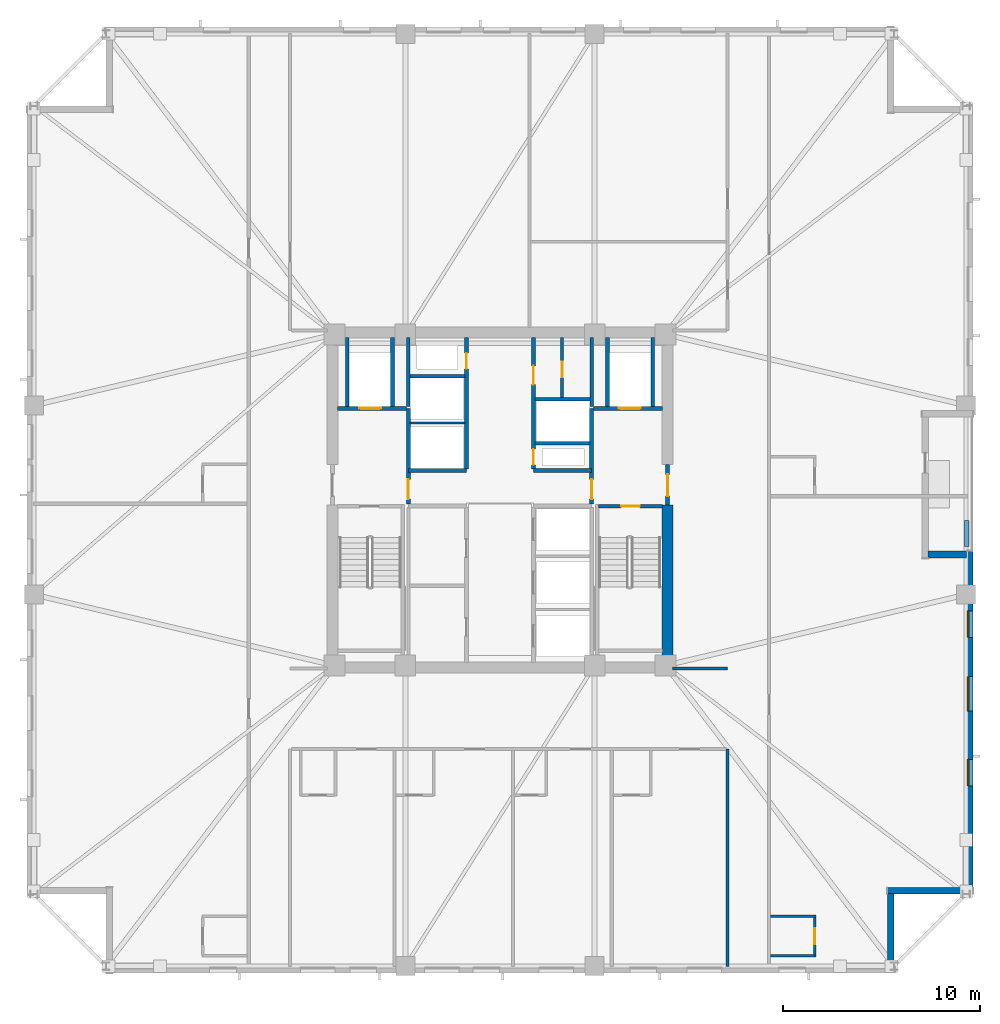
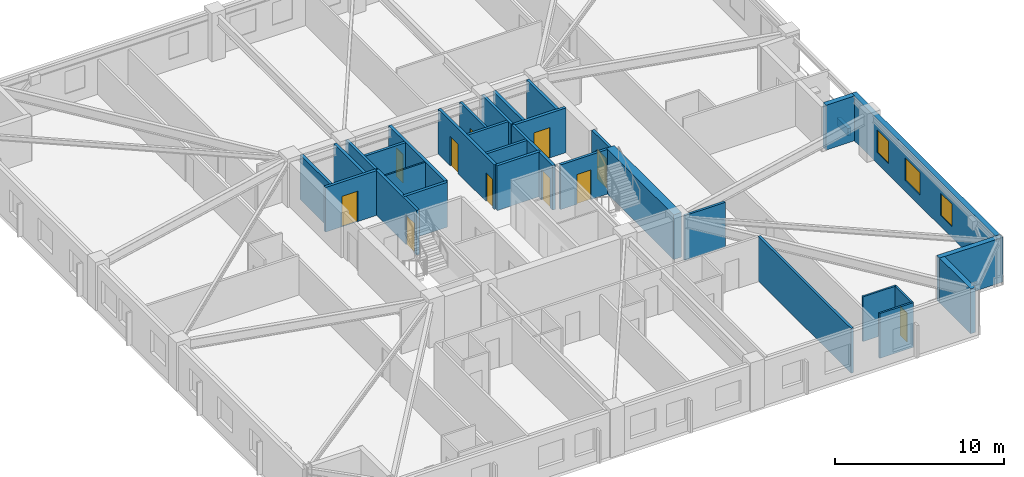
# One storey, part 4 of 11: 32 walls, 11 doors, 3 windows, 14 openings.
"""IFC4 building model written with IfcOpenShell, lengths in metres."""

from ifc_helpers import new_model, si_unit, direction, frame, frame_2d, origin, place, context, subcontext, project, spatial, rectangle, extrude, material, layer, layer_set, type_object, element, fill, save


model = new_model("IFC4")

# Units and contexts
model_context = context("Model", 3, precision=1e-05, world=origin(), true_north=direction((0.0, 1.0)))
body_context = subcontext(model_context, "Body", "Model", "MODEL_VIEW")
ifc_project = project(units=[si_unit("LENGTHUNIT", "METRE"), si_unit("AREAUNIT", "SQUARE_METRE"), si_unit("VOLUMEUNIT", "CUBIC_METRE"), si_unit("PLANEANGLEUNIT", "RADIAN"), si_unit("MASSUNIT", "GRAM", prefix="KILO")], contexts=[model_context])

# Site, building, storey
site_placement = place(None, origin())
site = spatial("IfcSite", under=ifc_project, at=site_placement, CompositionType="ELEMENT")
building_placement = place(site_placement, origin())
building = spatial("IfcBuilding", under=site, at=building_placement, Name="Cairnveth Concourse Tower", CompositionType="ELEMENT")
storey_placement = place(building_placement, frame((0.0, 0.0, 190.0)))
storey = spatial("IfcBuildingStorey", under=building, at=storey_placement, Name="L52", CompositionType="ELEMENT", Elevation=190.0)

# Wall, opening, door
ifc_material_1 = material(Name="Gypsum Plasterboard Partition", Category="gypsum")
ifc_layer_1 = layer(ifc_material_1, 0.159912109375)
ifc_layer_set_1 = layer_set([ifc_layer_1], Name="Gypsum Plasterboard Partition")
wall_type_1 = type_object("IfcWallType", Name="ACOUSTIC PARTY WALL 180", PredefinedType="PARTITIONING", material=ifc_layer_set_1)
wall_1_placement = place(storey_placement, frame((55.14990234375, 44.195068359375, 0.0), z_axis=(0.0, 0.0, 1.0), x_axis=(0.0, 1.0, 0.0)))
wall_1 = element("IfcWall", 1, at=wall_1_placement, inside=storey, type_object=wall_type_1, Name="Interior Wall IW-L52-036", PredefinedType="PARTITIONING", context=body_context, shape_type="SweptSolid", body=[
    extrude(rectangle(XDim=3.044921875, YDim=0.159912109375, at=frame_2d((1.5224609375, 0.0))), origin(), (0.0, 0.0, 1.0), 3.239990234375),
])
opening_1_placement = place(wall_1_placement, frame((1.02490234375, 0.0, 0.0)))
opening_1 = element("IfcOpeningElement", 2, at=opening_1_placement, cuts=wall_1, Name="Opening ID23", PredefinedType="OPENING", context=body_context, shape_type="SweptSolid", body=[
    extrude(rectangle(XDim=0.800048828125, YDim=2.10009765625, at=frame_2d((0.39990234375, 1.050048828125))), frame((0.0, 0.08984375, 0.0), z_axis=(0.0, -1.0, 0.0), x_axis=(1.0, 0.0, 0.0)), (0.0, 0.0, 1.0), 0.179931640625),
])
ifc_material_2 = material(Name="Steel Grade 350", Category="steel")
door_type_1 = type_object("IfcDoorType", Name="CORE SERVICE DOOR 800X2100", OperationType="NOTDEFINED", PredefinedType="DOOR", material=ifc_material_2)
door_1_placement = place(opening_1_placement, origin())
door_1 = element("IfcDoor", 3, at=door_1_placement, inside=storey, type_object=door_type_1, Name="NE Linen Closet Door L52", OperationType="SINGLE_SWING_LEFT", OverallHeight=2.10009765625, OverallWidth=0.800048828125, PredefinedType="DOOR", context=body_context, shape_type="SweptSolid", body=[
    extrude(rectangle(XDim=0.800048828125, YDim=2.10009765625, at=frame_2d((0.39990234375, 1.050048828125))), frame((0.0, 0.02490234375, 0.0), z_axis=(0.0, -1.0, 0.0), x_axis=(1.0, 0.0, 0.0)), (0.0, 0.0, 1.0), 0.050048828125),
])
fill(opening_1, door_1)

# Walls
wall_2_placement = place(storey_placement, frame((63.550048828125, 15.324951171875, 0.0), z_axis=(0.0, 0.0, 1.0), x_axis=(0.0, 1.0, 0.0)))
element("IfcWall", 4, at=wall_2_placement, inside=storey, type_object=wall_type_1, Name="Interior Wall IW-L52-043", PredefinedType="PARTITIONING", context=body_context, shape_type="SweptSolid", body=[
    extrude(rectangle(XDim=11.03515625, YDim=0.159912109375, at=frame_2d((5.517578125, 0.0))), origin(), (0.0, 0.0, 1.0), 3.239990234375),
])
wall_3_placement = place(storey_placement, frame((60.764892578125, 30.449951171875, 0.0), z_axis=(0.0, 0.0, 1.0), x_axis=(1.0, 0.0, 0.0)))
element("IfcWall", 5, at=wall_3_placement, inside=storey, type_object=wall_type_1, Name="Interior Wall IW-L52-045", PredefinedType="PARTITIONING", context=body_context, shape_type="SweptSolid", body=[
    extrude(rectangle(XDim=2.78515625, YDim=0.159912109375, at=frame_2d((1.392578125, 0.0))), origin(), (0.0, 0.0, 1.0), 3.239990234375),
])
ifc_material_3 = material(Name="Concrete N80 (80 MPa)", Category="concrete")
ifc_layer_2 = layer(ifc_material_3, 0.550048828125)
ifc_layer_set_2 = layer_set([ifc_layer_2], Name="Concrete N80 (80 MPa)")
wall_type_2 = type_object("IfcWallType", Name="CORE SHEAR WALL 550", PredefinedType="SHEAR", material=ifc_layer_set_2)
wall_4_placement = place(storey_placement, frame((60.5, 30.764892578125, 0.0), z_axis=(0.0, 0.0, 1.0), x_axis=(0.0, 1.0, 0.0)))
element("IfcWall", 6, at=wall_4_placement, inside=storey, type_object=wall_type_2, Name="Core East Shear Wall S L52", PredefinedType="SHEAR", context=body_context, shape_type="SweptSolid", body=[
    extrude(rectangle(XDim=7.985107421875, YDim=0.550048828125, at=frame_2d((3.99267578125, 0.0))), origin(), (0.0, 0.0, 1.0), 3.239990234375),
])
ifc_material_4 = material(Name="Concrete N50 (50 MPa)", Category="concrete")
ifc_layer_3 = layer(ifc_material_4, 0.179931640625)
ifc_layer_set_3 = layer_set([ifc_layer_3], Name="Concrete N50 (50 MPa)")
wall_type_3 = type_object("IfcWallType", Name="FIRE SHAFT WALL 180", PredefinedType="SOLIDWALL", material=ifc_layer_set_3)
wall_5_placement = place(storey_placement, frame((47.35009765625, 43.735107421875, 0.0), z_axis=(0.0, 0.0, 1.0), x_axis=(0.0, 1.0, 0.0)))
element("IfcWall", 7, at=wall_5_placement, inside=storey, type_object=wall_type_3, Name="Interior Wall IW-L52-030", PredefinedType="SOLIDWALL", context=body_context, shape_type="SweptSolid", body=[
    extrude(rectangle(XDim=3.5048828125, YDim=0.179931640625, at=frame_2d((1.75244140625, 0.0))), origin(), (0.0, 0.0, 1.0), 3.239990234375),
])
wall_6_placement = place(storey_placement, frame((47.425048828125, 45.280029296875, 0.0), z_axis=(0.0, 0.0, 1.0), x_axis=(1.0, 0.0, 0.0)))
element("IfcWall", 8, at=wall_6_placement, inside=storey, type_object=wall_type_3, Name="Interior Wall IW-L52-032", PredefinedType="SOLIDWALL", context=body_context, shape_type="SweptSolid", body=[
    extrude(rectangle(XDim=2.7900390625, YDim=0.179931640625, at=frame_2d((1.39501953125, 0.0))), origin(), (0.0, 0.0, 1.0), 3.239990234375),
])
wall_7_placement = place(storey_placement, frame((56.64990234375, 43.735107421875, 0.0), z_axis=(0.0, 0.0, 1.0), x_axis=(0.0, 1.0, 0.0)))
element("IfcWall", 9, at=wall_7_placement, inside=storey, type_object=wall_type_3, Name="Interior Wall IW-L52-033", PredefinedType="SOLIDWALL", context=body_context, shape_type="SweptSolid", body=[
    extrude(rectangle(XDim=3.5048828125, YDim=0.179931640625, at=frame_2d((1.75244140625, 0.0))), origin(), (0.0, 0.0, 1.0), 3.239990234375),
])
wall_8_placement = place(storey_placement, frame((53.784912109375, 41.8798828125, 0.0), z_axis=(0.0, 0.0, 1.0), x_axis=(1.0, 0.0, 0.0)))
element("IfcWall", 10, at=wall_8_placement, inside=storey, type_object=wall_type_3, Name="Interior Wall IW-L52-034", PredefinedType="SOLIDWALL", context=body_context, shape_type="SweptSolid", body=[
    extrude(rectangle(XDim=2.780029296875, YDim=0.179931640625, at=frame_2d((1.39013671875, 0.0))), origin(), (0.0, 0.0, 1.0), 3.239990234375),
])
wall_9_placement = place(storey_placement, frame((53.784912109375, 44.1201171875, 0.0), z_axis=(0.0, 0.0, 1.0), x_axis=(1.0, 0.0, 0.0)))
element("IfcWall", 11, at=wall_9_placement, inside=storey, type_object=wall_type_3, Name="Interior Wall IW-L52-035", PredefinedType="SOLIDWALL", context=body_context, shape_type="SweptSolid", body=[
    extrude(rectangle(XDim=2.7900390625, YDim=0.179931640625, at=frame_2d((1.39501953125, 0.0))), origin(), (0.0, 0.0, 1.0), 3.239990234375),
])

# Wall, opening, door
wall_10_placement = place(storey_placement, frame((57.0048828125, 38.68994140625, 0.0), z_axis=(0.0, 0.0, 1.0), x_axis=(1.0, 0.0, 0.0)))
wall_10 = element("IfcWall", 12, at=wall_10_placement, inside=storey, type_object=wall_type_3, Name="Stair ST-2 Shaft Wall NEAR L52", PredefinedType="SOLIDWALL", context=body_context, shape_type="SweptSolid", body=[
    extrude(rectangle(XDim=3.230224609375, YDim=0.179931640625, at=frame_2d((1.615234375, 0.0))), origin(), (0.0, 0.0, 1.0), 3.239990234375),
])
opening_2_placement = place(wall_10_placement, frame((1.139892578125, 0.0, 0.0)))
opening_2 = element("IfcOpeningElement", 13, at=opening_2_placement, cuts=wall_10, Name="Opening ID12", PredefinedType="OPENING", context=body_context, shape_type="SweptSolid", body=[
    extrude(rectangle(XDim=0.949951171875, YDim=2.14990234375, at=frame_2d((0.47509765625, 1.074951171875))), frame((0.0, 0.099853515625, 0.0), z_axis=(0.0, -1.0, 0.0), x_axis=(1.0, 0.0, 0.0)), (0.0, 0.0, 1.0), 0.199951171875),
])
door_type_2 = type_object("IfcDoorType", Name="FIRE STAIR DOOR 950X2150", OperationType="NOTDEFINED", PredefinedType="DOOR", material=ifc_material_2)
door_2_placement = place(opening_2_placement, origin())
door_2 = element("IfcDoor", 14, at=door_2_placement, inside=storey, type_object=door_type_2, Name="Stair ST-2 Fire Door L52", OperationType="SINGLE_SWING_RIGHT", OverallHeight=2.14990234375, OverallWidth=0.949951171875, PredefinedType="DOOR", context=body_context, shape_type="SweptSolid", body=[
    extrude(rectangle(XDim=0.949951171875, YDim=2.14990234375, at=frame_2d((0.47509765625, 1.074951171875))), frame((0.0, 0.02490234375, 0.0), z_axis=(0.0, -1.0, 0.0), x_axis=(1.0, 0.0, 0.0)), (0.0, 0.0, 1.0), 0.050048828125),
])
fill(opening_2, door_2)

# Walls
ifc_layer_4 = layer(ifc_material_4, 0.199951171875)
ifc_layer_set_4 = layer_set([ifc_layer_4], Name="Concrete N50 (50 MPa)")
wall_type_4 = type_object("IfcWallType", Name="FIRE SHAFT WALL 200", PredefinedType="SOLIDWALL", material=ifc_layer_set_4)
for number, where, z_axis, x_axis, name in (
    (15, (47.35009765625, 40.5, 0.0), (0.0, 0.0, 1.0), (1.0, 0.0, 0.0), "Interior Wall IW-L52-008"),
    (16, (53.699951171875, 40.5, 0.0), (0.0, 0.0, 1.0), (1.0, 0.0, 0.0), "Interior Wall IW-L52-010"),
):
    element("IfcWall", number, at=place(storey_placement, frame(where, z_axis=z_axis, x_axis=x_axis)), inside=storey, type_object=wall_type_4, Name=name, PredefinedType="SOLIDWALL", context=body_context, shape_type="SweptSolid", body=[
        extrude(rectangle(XDim=2.949951171875, YDim=0.199951171875, at=frame_2d((1.47509765625, 0.0))), origin(), (0.0, 0.0, 1.0), 3.239990234375),
    ])

# Wall, opening, door
wall_11_placement = place(storey_placement, frame((50.300048828125, 40.5849609375, 0.0), z_axis=(0.0, 0.0, 1.0), x_axis=(0.0, 1.0, 0.0)))
wall_11 = element("IfcWall", 17, at=wall_11_placement, inside=storey, type_object=wall_type_4, Name="Interior Wall IW-L52-013", PredefinedType="SOLIDWALL", context=body_context, shape_type="SweptSolid", body=[
    extrude(rectangle(XDim=6.655029296875, YDim=0.199951171875, at=frame_2d((3.32763671875, 0.0))), origin(), (0.0, 0.0, 1.0), 3.239990234375),
])
opening_3_placement = place(wall_11_placement, frame((5.06494140625, 0.0, 0.0)))
opening_3 = element("IfcOpeningElement", 18, at=opening_3_placement, cuts=wall_11, Name="Opening ID24", PredefinedType="OPENING", context=body_context, shape_type="SweptSolid", body=[
    extrude(rectangle(XDim=0.800048828125, YDim=2.080078125, at=frame_2d((0.39990234375, 1.0400390625))), frame((0.0, 0.10986328125, 0.0), z_axis=(0.0, -1.0, 0.0), x_axis=(1.0, 0.0, 0.0)), (0.0, 0.0, 1.0), 0.219970703125),
])
door_type_3 = type_object("IfcDoorType", Name="RISER ACCESS DOOR 800X2100", OperationType="NOTDEFINED", PredefinedType="DOOR", material=ifc_material_2)
door_3_placement = place(opening_3_placement, origin())
door_3 = element("IfcDoor", 19, at=door_3_placement, inside=storey, type_object=door_type_3, Name="NW Electrical Riser Access Door L52", OperationType="SINGLE_SWING_RIGHT", OverallHeight=2.080078125, OverallWidth=0.800048828125, PredefinedType="DOOR", context=body_context, shape_type="SweptSolid", body=[
    extrude(rectangle(XDim=0.800048828125, YDim=2.080078125, at=frame_2d((0.39990234375, 1.0400390625))), frame((0.0, 0.02490234375, 0.0), z_axis=(0.0, -1.0, 0.0), x_axis=(1.0, 0.0, 0.0)), (0.0, 0.0, 1.0), 0.050048828125),
])
fill(opening_3, door_3)

# Wall, openings, doors
wall_12_placement = place(storey_placement, frame((53.699951171875, 40.5849609375, 0.0), z_axis=(0.0, 0.0, 1.0), x_axis=(0.0, 1.0, 0.0)))
wall_12 = element("IfcWall", 20, at=wall_12_placement, inside=storey, type_object=wall_type_4, Name="Interior Wall IW-L52-014", PredefinedType="SOLIDWALL", context=body_context, shape_type="SweptSolid", body=[
    extrude(rectangle(XDim=6.655029296875, YDim=0.199951171875, at=frame_2d((3.32763671875, 0.0))), origin(), (0.0, 0.0, 1.0), 3.239990234375),
])
opening_4_placement = place(wall_12_placement, frame((0.195068359375, 0.0, 0.0)))
opening_4 = element("IfcOpeningElement", 21, at=opening_4_placement, cuts=wall_12, Name="Opening ID24", PredefinedType="OPENING", context=body_context, shape_type="SweptSolid", body=[
    extrude(rectangle(XDim=0.800048828125, YDim=2.080078125, at=frame_2d((0.39990234375, 1.0400390625))), frame((0.0, 0.10986328125, 0.0), z_axis=(0.0, -1.0, 0.0), x_axis=(1.0, 0.0, 0.0)), (0.0, 0.0, 1.0), 0.219970703125),
])
opening_5_placement = place(wall_12_placement, frame((4.264892578125, 0.0, 0.0)))
opening_5 = element("IfcOpeningElement", 22, at=opening_5_placement, cuts=wall_12, Name="Opening ID25", PredefinedType="OPENING", context=body_context, shape_type="SweptSolid", body=[
    extrude(rectangle(XDim=0.949951171875, YDim=2.1201171875, at=frame_2d((0.47509765625, 1.06005859375))), frame((0.0, 0.10986328125, 0.0), z_axis=(0.0, -1.0, 0.0), x_axis=(1.0, 0.0, 0.0)), (0.0, 0.0, 1.0), 0.219970703125),
])
door_type_4 = type_object("IfcDoorType", Name="CORE ACCESSIBLE FIRE DOOR 950X2120", OperationType="NOTDEFINED", PredefinedType="DOOR", material=ifc_material_2)
door_4_placement = place(opening_5_placement, origin())
door_4 = element("IfcDoor", 23, at=door_4_placement, inside=storey, type_object=door_type_4, Name="Core NE Restroom Door L52", OperationType="SINGLE_SWING_RIGHT", OverallHeight=2.1201171875, OverallWidth=0.949951171875, PredefinedType="DOOR", context=body_context, shape_type="SweptSolid", body=[
    extrude(rectangle(XDim=0.949951171875, YDim=2.1201171875, at=frame_2d((0.47509765625, 1.06005859375))), frame((0.0, 0.02490234375, 0.0), z_axis=(0.0, -1.0, 0.0), x_axis=(1.0, 0.0, 0.0)), (0.0, 0.0, 1.0), 0.050048828125),
])
fill(opening_5, door_4)
door_5_placement = place(opening_4_placement, origin())
door_5 = element("IfcDoor", 24, at=door_5_placement, inside=storey, type_object=door_type_3, Name="Hydraulic Riser Door L52", OperationType="SINGLE_SWING_LEFT", OverallHeight=2.080078125, OverallWidth=0.800048828125, PredefinedType="DOOR", context=body_context, shape_type="SweptSolid", body=[
    extrude(rectangle(XDim=0.800048828125, YDim=2.080078125, at=frame_2d((0.39990234375, 1.0400390625))), frame((0.0, 0.02490234375, 0.0), z_axis=(0.0, -1.0, 0.0), x_axis=(1.0, 0.0, 0.0)), (0.0, 0.0, 1.0), 0.050048828125),
])
fill(opening_4, door_5)

# Wall, opening, door
wall_13_placement = place(storey_placement, frame((47.35009765625, 38.784912109375, 0.0), z_axis=(0.0, 0.0, 1.0), x_axis=(0.0, 1.0, 0.0)))
wall_13 = element("IfcWall", 25, at=wall_13_placement, inside=storey, type_object=wall_type_4, Name="Interior Wall IW-L52-016", PredefinedType="SOLIDWALL", context=body_context, shape_type="SweptSolid", body=[
    extrude(rectangle(XDim=4.864990234375, YDim=0.199951171875, at=frame_2d((2.4326171875, 0.0))), origin(), (0.0, 0.0, 1.0), 3.239990234375),
])
opening_6_placement = place(wall_13_placement, frame((0.264892578125, 0.0, 0.0)))
opening_6 = element("IfcOpeningElement", 26, at=opening_6_placement, cuts=wall_13, Name="Opening ID07", PredefinedType="OPENING", context=body_context, shape_type="SweptSolid", body=[
    extrude(rectangle(XDim=1.0, YDim=2.14990234375, at=frame_2d((0.5, 1.074951171875))), frame((0.0, 0.10986328125, 0.0), z_axis=(0.0, -1.0, 0.0), x_axis=(1.0, 0.0, 0.0)), (0.0, 0.0, 1.0), 0.219970703125),
])
door_type_5 = type_object("IfcDoorType", Name="FIRE CORRIDOR DOOR 1000X2150", OperationType="NOTDEFINED", PredefinedType="DOOR", material=ifc_material_2)
door_6_placement = place(opening_6_placement, origin())
door_6 = element("IfcDoor", 27, at=door_6_placement, inside=storey, type_object=door_type_5, Name="FF Lobby West to Lift Lobby Door L52", OperationType="SINGLE_SWING_RIGHT", OverallHeight=2.14990234375, OverallWidth=1.0, PredefinedType="DOOR", context=body_context, shape_type="SweptSolid", body=[
    extrude(rectangle(XDim=1.0, YDim=2.14990234375, at=frame_2d((0.5, 1.074951171875))), frame((0.0, 0.02490234375, 0.0), z_axis=(0.0, -1.0, 0.0), x_axis=(1.0, 0.0, 0.0)), (0.0, 0.0, 1.0), 0.050048828125),
])
fill(opening_6, door_6)

wall_14_placement = place(storey_placement, frame((43.760009765625, 43.64990234375, 0.0), z_axis=(0.0, 0.0, 1.0), x_axis=(1.0, 0.0, 0.0)))
wall_14 = element("IfcWall", 28, at=wall_14_placement, inside=storey, type_object=wall_type_4, Name="Interior Wall IW-L52-017", PredefinedType="SOLIDWALL", context=body_context, shape_type="SweptSolid", body=[
    extrude(rectangle(XDim=3.5048828125, YDim=0.199951171875, at=frame_2d((1.75244140625, 0.0))), origin(), (0.0, 0.0, 1.0), 3.239990234375),
])
opening_7_placement = place(wall_14_placement, frame((1.110107421875, 0.0, 0.0)))
opening_7 = element("IfcOpeningElement", 29, at=opening_7_placement, cuts=wall_14, Name="Opening LD-1", PredefinedType="OPENING", context=body_context, shape_type="SweptSolid", body=[
    extrude(rectangle(XDim=1.10009765625, YDim=2.199951171875, at=frame_2d((0.550048828125, 1.10009765625))), frame((0.0, 0.10986328125, 0.0), z_axis=(0.0, -1.0, 0.0), x_axis=(1.0, 0.0, 0.0)), (0.0, 0.0, 1.0), 0.219970703125),
])
ifc_material_5 = material(Name="Architectural Bronze Anodised Aluminium 6063-T6", Category="aluminium")
door_type_6 = type_object("IfcDoorType", Name="LIFT LANDING DOOR 1100X2200", OperationType="SLIDING_TO_LEFT", PredefinedType="DOOR", material=ifc_material_5)
door_7_placement = place(opening_7_placement, origin())
door_7 = element("IfcDoor", 30, at=door_7_placement, inside=storey, type_object=door_type_6, Name="Lift FFL1 Landing Door L52", OperationType="SLIDING_TO_LEFT", OverallHeight=2.199951171875, OverallWidth=1.10009765625, PredefinedType="DOOR", context=body_context, shape_type="SweptSolid", body=[
    extrude(rectangle(XDim=1.10009765625, YDim=2.199951171875, at=frame_2d((0.550048828125, 1.10009765625))), frame((0.0, 0.02490234375, 0.0), z_axis=(0.0, -1.0, 0.0), x_axis=(1.0, 0.0, 0.0)), (0.0, 0.0, 1.0), 0.050048828125),
])
fill(opening_7, door_7)

# Walls
for number, where, z_axis, x_axis, name in (
    (31, (46.550048828125, 43.735107421875, 0.0), (0.0, 0.0, 1.0), (0.0, 1.0, 0.0), "Interior Wall IW-L52-018"),
    (32, (44.25, 43.735107421875, 0.0), (0.0, 0.0, 1.0), (0.0, 1.0, 0.0), "Interior Wall IW-L52-019"),
):
    element("IfcWall", number, at=place(storey_placement, frame(where, z_axis=z_axis, x_axis=x_axis)), inside=storey, type_object=wall_type_4, Name=name, PredefinedType="SOLIDWALL", context=body_context, shape_type="SweptSolid", body=[
        extrude(rectangle(XDim=3.5048828125, YDim=0.199951171875, at=frame_2d((1.75244140625, 0.0))), origin(), (0.0, 0.0, 1.0), 3.239990234375),
    ])

# Wall, opening, door
wall_15_placement = place(storey_placement, frame((60.5, 38.75, 0.0), z_axis=(0.0, 0.0, 1.0), x_axis=(0.0, 1.0, 0.0)))
wall_15 = element("IfcWall", 33, at=wall_15_placement, inside=storey, type_object=wall_type_4, Name="Interior Wall IW-L52-020", PredefinedType="SOLIDWALL", context=body_context, shape_type="SweptSolid", body=[
    extrude(rectangle(XDim=2.050048828125, YDim=0.199951171875, at=frame_2d((1.02490234375, 0.0))), origin(), (0.0, 0.0, 1.0), 3.239990234375),
])
opening_8_placement = place(wall_15_placement, frame((0.449951171875, 0.0, 0.0)))
opening_8 = element("IfcOpeningElement", 34, at=opening_8_placement, cuts=wall_15, Name="Opening ID06", PredefinedType="OPENING", context=body_context, shape_type="SweptSolid", body=[
    extrude(rectangle(XDim=1.10009765625, YDim=2.14990234375, at=frame_2d((0.550048828125, 1.074951171875))), frame((0.0, 0.10986328125, 0.0), z_axis=(0.0, -1.0, 0.0), x_axis=(1.0, 0.0, 0.0)), (0.0, 0.0, 1.0), 0.219970703125),
])
door_type_7 = type_object("IfcDoorType", Name="FIRE CORRIDOR DOOR 1100X2150", OperationType="NOTDEFINED", PredefinedType="DOOR", material=ifc_material_2)
door_8_placement = place(opening_8_placement, origin())
door_8 = element("IfcDoor", 35, at=door_8_placement, inside=storey, type_object=door_type_7, Name="East Wing to FF Lobby Door L52", OperationType="SINGLE_SWING_RIGHT", OverallHeight=2.14990234375, OverallWidth=1.10009765625, PredefinedType="DOOR", context=body_context, shape_type="SweptSolid", body=[
    extrude(rectangle(XDim=1.10009765625, YDim=2.14990234375, at=frame_2d((0.550048828125, 1.074951171875))), frame((0.0, 0.02490234375, 0.0), z_axis=(0.0, -1.0, 0.0), x_axis=(1.0, 0.0, 0.0)), (0.0, 0.0, 1.0), 0.050048828125),
])
fill(opening_8, door_8)

wall_16_placement = place(storey_placement, frame((56.64990234375, 38.784912109375, 0.0), z_axis=(0.0, 0.0, 1.0), x_axis=(0.0, 1.0, 0.0)))
wall_16 = element("IfcWall", 36, at=wall_16_placement, inside=storey, type_object=wall_type_4, Name="Interior Wall IW-L52-021", PredefinedType="SOLIDWALL", context=body_context, shape_type="SweptSolid", body=[
    extrude(rectangle(XDim=4.864990234375, YDim=0.199951171875, at=frame_2d((2.4326171875, 0.0))), origin(), (0.0, 0.0, 1.0), 3.239990234375),
])
opening_9_placement = place(wall_16_placement, frame((0.264892578125, 0.0, 0.0)))
opening_9 = element("IfcOpeningElement", 37, at=opening_9_placement, cuts=wall_16, Name="Opening ID07", PredefinedType="OPENING", context=body_context, shape_type="SweptSolid", body=[
    extrude(rectangle(XDim=1.0, YDim=2.14990234375, at=frame_2d((0.5, 1.074951171875))), frame((0.0, 0.10986328125, 0.0), z_axis=(0.0, -1.0, 0.0), x_axis=(1.0, 0.0, 0.0)), (0.0, 0.0, 1.0), 0.219970703125),
])
door_9_placement = place(opening_9_placement, origin())
door_9 = element("IfcDoor", 38, at=door_9_placement, inside=storey, type_object=door_type_5, Name="FF Lobby East to Lift Lobby Door L52", OperationType="SINGLE_SWING_LEFT", OverallHeight=2.14990234375, OverallWidth=1.0, PredefinedType="DOOR", context=body_context, shape_type="SweptSolid", body=[
    extrude(rectangle(XDim=1.0, YDim=2.14990234375, at=frame_2d((0.5, 1.074951171875))), frame((0.0, 0.02490234375, 0.0), z_axis=(0.0, -1.0, 0.0), x_axis=(1.0, 0.0, 0.0)), (0.0, 0.0, 1.0), 0.050048828125),
])
fill(opening_9, door_9)

wall_17_placement = place(storey_placement, frame((56.735107421875, 43.64990234375, 0.0), z_axis=(0.0, 0.0, 1.0), x_axis=(1.0, 0.0, 0.0)))
wall_17 = element("IfcWall", 39, at=wall_17_placement, inside=storey, type_object=wall_type_4, Name="Interior Wall IW-L52-022", PredefinedType="SOLIDWALL", context=body_context, shape_type="SweptSolid", body=[
    extrude(rectangle(XDim=3.5048828125, YDim=0.199951171875, at=frame_2d((1.75244140625, 0.0))), origin(), (0.0, 0.0, 1.0), 3.239990234375),
])
opening_10_placement = place(wall_17_placement, frame((1.294921875, 0.0, 0.0)))
opening_10 = element("IfcOpeningElement", 40, at=opening_10_placement, cuts=wall_17, Name="Opening LD-1", PredefinedType="OPENING", context=body_context, shape_type="SweptSolid", body=[
    extrude(rectangle(XDim=1.10009765625, YDim=2.199951171875, at=frame_2d((0.550048828125, 1.10009765625))), frame((0.0, 0.10986328125, 0.0), z_axis=(0.0, -1.0, 0.0), x_axis=(1.0, 0.0, 0.0)), (0.0, 0.0, 1.0), 0.219970703125),
])
door_10_placement = place(opening_10_placement, origin())
door_10 = element("IfcDoor", 41, at=door_10_placement, inside=storey, type_object=door_type_6, Name="Lift FFL2 Landing Door L52", OperationType="SLIDING_TO_LEFT", OverallHeight=2.199951171875, OverallWidth=1.10009765625, PredefinedType="DOOR", context=body_context, shape_type="SweptSolid", body=[
    extrude(rectangle(XDim=1.10009765625, YDim=2.199951171875, at=frame_2d((0.550048828125, 1.10009765625))), frame((0.0, 0.02490234375, 0.0), z_axis=(0.0, -1.0, 0.0), x_axis=(1.0, 0.0, 0.0)), (0.0, 0.0, 1.0), 0.050048828125),
])
fill(opening_10, door_10)

# Walls
for number, where, z_axis, x_axis, name in (
    (42, (57.449951171875, 43.735107421875, 0.0), (0.0, 0.0, 1.0), (0.0, 1.0, 0.0), "Interior Wall IW-L52-023"),
    (43, (59.75, 43.735107421875, 0.0), (0.0, 0.0, 1.0), (0.0, 1.0, 0.0), "Interior Wall IW-L52-024"),
):
    element("IfcWall", number, at=place(storey_placement, frame(where, z_axis=z_axis, x_axis=x_axis)), inside=storey, type_object=wall_type_4, Name=name, PredefinedType="SOLIDWALL", context=body_context, shape_type="SweptSolid", body=[
        extrude(rectangle(XDim=3.5048828125, YDim=0.199951171875, at=frame_2d((1.75244140625, 0.0))), origin(), (0.0, 0.0, 1.0), 3.239990234375),
    ])
ifc_layer_5 = layer(ifc_material_1, 0.110107421875)
ifc_layer_set_5 = layer_set([ifc_layer_5], Name="Gypsum Plasterboard Partition")
wall_type_5 = type_object("IfcWallType", Name="SHAFT DIVIDER WALL 140", PredefinedType="PARTITIONING", material=ifc_layer_set_5)
wall_18_placement = place(storey_placement, frame((47.43505859375, 42.89990234375, 0.0), z_axis=(0.0, 0.0, 1.0), x_axis=(1.0, 0.0, 0.0)))
element("IfcWall", 44, at=wall_18_placement, inside=storey, type_object=wall_type_5, Name="Interior Wall IW-L52-031", PredefinedType="PARTITIONING", context=body_context, shape_type="SweptSolid", body=[
    extrude(rectangle(XDim=2.780029296875, YDim=0.110107421875, at=frame_2d((1.39013671875, 0.0))), origin(), (0.0, 0.0, 1.0), 3.239990234375),
])
ifc_material_6 = material(Name="Dressed Melbourne Bluestone Cladding", Category="masonry")
ifc_layer_6 = layer(ifc_material_6, 0.219970703125)
ifc_layer_set_6 = layer_set([ifc_layer_6], Name="Dressed Melbourne Bluestone Cladding")
wall_type_6 = type_object("IfcWallType", Name="TERRACE PLANTER CURB WALL 220", PredefinedType="PARAPET", material=ifc_layer_set_6)
wall_19_placement = place(storey_placement, frame((75.679931640625, 36.64990234375, 0.0), z_axis=(0.0, 0.0, 1.0), x_axis=(0.0, 1.0, 0.0)))
element("IfcWall", 45, at=wall_19_placement, inside=storey, type_object=wall_type_6, Name="Exterior Wall PLNT-L52-TERR", PredefinedType="PARAPET", context=body_context, shape_type="SweptSolid", body=[
    extrude(rectangle(XDim=1.300048828125, YDim=0.219970703125, at=frame_2d((0.64990234375, 0.0))), origin(), (0.0, 0.0, 1.0), 0.550048828125),
])
ifc_layer_7 = layer(ifc_material_1, 0.1298828125)
ifc_layer_set_7 = layer_set([ifc_layer_7], Name="Gypsum Plasterboard Partition")
wall_type_7 = type_object("IfcWallType", Name="WET AREA PARTITION 140", PredefinedType="PLUMBINGWALL", material=ifc_layer_set_7)
for number, where, z_axis, x_axis, name in (
    (46, (65.715087890625, 15.8701171875, 0.0), (0.0, 0.0, 1.0), (1.0, 0.0, 0.0), "Interior Wall IW-L52-068"),
    (47, (65.715087890625, 17.8701171875, 0.0), (0.0, 0.0, 1.0), (1.0, 0.0, 0.0), "Interior Wall IW-L52-069"),
):
    element("IfcWall", number, at=place(storey_placement, frame(where, z_axis=z_axis, x_axis=x_axis)), inside=storey, type_object=wall_type_7, Name=name, PredefinedType="PLUMBINGWALL", context=body_context, shape_type="SweptSolid", body=[
        extrude(rectangle(XDim=2.31494140625, YDim=0.1298828125, at=frame_2d((1.157470703125, 0.0))), origin(), (0.0, 0.0, 1.0), 3.239990234375),
    ])

# Wall, opening, door
wall_20_placement = place(storey_placement, frame((67.97998046875, 15.919921875, 0.0), z_axis=(0.0, 0.0, 1.0), x_axis=(0.0, 1.0, 0.0)))
wall_20 = element("IfcWall", 48, at=wall_20_placement, inside=storey, type_object=wall_type_7, Name="Interior Wall IW-L52-070", PredefinedType="PLUMBINGWALL", context=body_context, shape_type="SweptSolid", body=[
    extrude(rectangle(XDim=1.900146484375, YDim=0.1298828125, at=frame_2d((0.9501953125, 0.0))), origin(), (0.0, 0.0, 1.0), 3.239990234375),
])
opening_11_placement = place(wall_20_placement, frame((0.5400390625, 0.0, 0.0)))
opening_11 = element("IfcOpeningElement", 49, at=opening_11_placement, cuts=wall_20, Name="Opening ID22", PredefinedType="OPENING", context=body_context, shape_type="SweptSolid", body=[
    extrude(rectangle(XDim=0.820068359375, YDim=2.10009765625, at=frame_2d((0.41015625, 1.050048828125))), frame((0.0, 0.074951171875, 0.0), z_axis=(0.0, -1.0, 0.0), x_axis=(1.0, 0.0, 0.0)), (0.0, 0.0, 1.0), 0.14990234375),
])
ifc_material_7 = material(Name="Solid Core Hardwood Timber Leaf", Category="wood")
door_type_8 = type_object("IfcDoorType", Name="INTERIOR WC DOOR 820X2100", OperationType="NOTDEFINED", PredefinedType="DOOR", material=ifc_material_7)
door_11_placement = place(opening_11_placement, origin())
door_11 = element("IfcDoor", 50, at=door_11_placement, inside=storey, type_object=door_type_8, Name="En-Suite Door L52-E1", OperationType="SINGLE_SWING_LEFT", OverallHeight=2.10009765625, OverallWidth=0.820068359375, PredefinedType="DOOR", context=body_context, shape_type="SweptSolid", body=[
    extrude(rectangle(XDim=0.820068359375, YDim=2.10009765625, at=frame_2d((0.41015625, 1.050048828125))), frame((0.0, 0.02490234375, 0.0), z_axis=(0.0, -1.0, 0.0), x_axis=(1.0, 0.0, 0.0)), (0.0, 0.0, 1.0), 0.050048828125),
])
fill(opening_11, door_11)

# Wall, openings, windows
ifc_material_8 = material(Name="Hawthorn Red-Ochre Fired Clay Brick Masonry", Category="masonry")
ifc_layer_8 = layer(ifc_material_8, 0.340087890625)
ifc_layer_set_8 = layer_set([ifc_layer_8], Name="Hawthorn Red-Ochre Fired Clay Brick Masonry")
wall_type_8 = type_object("IfcWallType", Name="ZONE 2 BRICK PIER SPANDREL WALL 340", PredefinedType="SOLIDWALL", material=ifc_layer_set_8)
wall_21_placement = place(storey_placement, frame((75.830078125, 36.39990234375, 0.0), z_axis=(0.0, 0.0, 1.0), x_axis=(0.0, -1.0, 0.0)))
wall_21 = element("IfcWall", 51, at=wall_21_placement, inside=storey, type_object=wall_type_8, Name="Exterior Wall EW-L52-S00", PredefinedType="SOLIDWALL", context=body_context, shape_type="SweptSolid", body=[
    extrude(rectangle(XDim=17.081787109375, YDim=0.340087890625, at=frame_2d((8.541015625, 0.0))), origin(), (0.0, 0.0, 1.0), 3.239990234375),
])
opening_12_placement = place(wall_21_placement, frame((3.02197265625, 0.0, 0.800048828125)))
opening_12 = element("IfcOpeningElement", 52, at=opening_12_placement, cuts=wall_21, Name="Opening W02", PredefinedType="OPENING", context=body_context, shape_type="SweptSolid", body=[
    extrude(rectangle(XDim=1.35009765625, YDim=1.6201171875, at=frame_2d((0.675048828125, 0.81005859375))), frame((0.0, 0.179931640625, 0.0), z_axis=(0.0, -1.0, 0.0), x_axis=(1.0, 0.0, 0.0)), (0.0, 0.0, 1.0), 0.360107421875),
])
opening_13_placement = place(wall_21_placement, frame((6.365966796875, 0.0, 0.800048828125)))
opening_13 = element("IfcOpeningElement", 53, at=opening_13_placement, cuts=wall_21, Name="Opening W06", PredefinedType="OPENING", context=body_context, shape_type="SweptSolid", body=[
    extrude(rectangle(XDim=1.75, YDim=1.6201171875, at=frame_2d((0.875, 0.81005859375))), frame((0.0, 0.179931640625, 0.0), z_axis=(0.0, -1.0, 0.0), x_axis=(1.0, 0.0, 0.0)), (0.0, 0.0, 1.0), 0.360107421875),
])
opening_14_placement = place(wall_21_placement, frame((10.56005859375, 0.0, 0.800048828125)))
opening_14 = element("IfcOpeningElement", 54, at=opening_14_placement, cuts=wall_21, Name="Opening W02", PredefinedType="OPENING", context=body_context, shape_type="SweptSolid", body=[
    extrude(rectangle(XDim=1.35009765625, YDim=1.6201171875, at=frame_2d((0.675048828125, 0.81005859375))), frame((0.0, 0.179931640625, 0.0), z_axis=(0.0, -1.0, 0.0), x_axis=(1.0, 0.0, 0.0)), (0.0, 0.0, 1.0), 0.360107421875),
])
ifc_material_9 = material(Name="Double Glazed Low-E Clear Glass", Category="glass")
window_type_1 = type_object("IfcWindowType", Name="DEEP-SET GOTHIC LANCET WINDOW 1350X1800", PartitioningType="DOUBLE_PANEL_VERTICAL", PredefinedType="WINDOW", material=ifc_material_9)
window_1_placement = place(opening_12_placement, origin())
window_1 = element("IfcWindow", 55, at=window_1_placement, inside=storey, type_object=window_type_1, Name="Gothic Lancet Window L52-0-1", OverallHeight=1.6201171875, OverallWidth=1.35009765625, PartitioningType="SINGLE_PANEL", PredefinedType="WINDOW", context=body_context, shape_type="SweptSolid", body=[
    extrude(rectangle(XDim=1.35009765625, YDim=1.6201171875, at=frame_2d((0.675048828125, 0.81005859375))), frame((0.0, -0.050048828125, 0.0), z_axis=(0.0, -1.0, 0.0), x_axis=(1.0, 0.0, 0.0)), (0.0, 0.0, 1.0), 0.06005859375),
])
fill(opening_12, window_1)
window_2_placement = place(opening_14_placement, origin())
window_2 = element("IfcWindow", 56, at=window_2_placement, inside=storey, type_object=window_type_1, Name="Gothic Lancet Window L52-0-3", OverallHeight=1.6201171875, OverallWidth=1.35009765625, PartitioningType="SINGLE_PANEL", PredefinedType="WINDOW", context=body_context, shape_type="SweptSolid", body=[
    extrude(rectangle(XDim=1.35009765625, YDim=1.6201171875, at=frame_2d((0.675048828125, 0.81005859375))), frame((0.0, -0.050048828125, 0.0), z_axis=(0.0, -1.0, 0.0), x_axis=(1.0, 0.0, 0.0)), (0.0, 0.0, 1.0), 0.06005859375),
])
fill(opening_14, window_2)
window_type_2 = type_object("IfcWindowType", Name="DEEP-SET HOTEL SUITE WINDOW 1750X1800", PartitioningType="DOUBLE_PANEL_VERTICAL", PredefinedType="WINDOW", material=ifc_material_9)
window_3_placement = place(opening_13_placement, origin())
window_3 = element("IfcWindow", 57, at=window_3_placement, inside=storey, type_object=window_type_2, Name="Gothic Lancet Window L52-0-2", OverallHeight=1.6201171875, OverallWidth=1.75, PartitioningType="SINGLE_PANEL", PredefinedType="WINDOW", context=body_context, shape_type="SweptSolid", body=[
    extrude(rectangle(XDim=1.75, YDim=1.6201171875, at=frame_2d((0.875, 0.81005859375))), frame((0.0, -0.050048828125, 0.0), z_axis=(0.0, -1.0, 0.0), x_axis=(1.0, 0.0, 0.0)), (0.0, 0.0, 1.0), 0.06005859375),
])
fill(opening_13, window_3)

# Walls
wall_22_placement = place(storey_placement, frame((76.0, 19.169921875, 0.0), z_axis=(0.0, 0.0, 1.0), x_axis=(-1.0, 0.0, 0.0)))
element("IfcWall", 58, at=wall_22_placement, inside=storey, type_object=wall_type_8, Name="Exterior Wall EW-L52-S01", PredefinedType="SOLIDWALL", context=body_context, shape_type="SweptSolid", body=[
    extrude(rectangle(XDim=4.340087890625, YDim=0.340087890625, at=frame_2d((2.169921875, 0.0))), origin(), (0.0, 0.0, 1.0), 3.239990234375),
])
wall_23_placement = place(storey_placement, frame((71.830078125, 19.02197265625, 0.0), z_axis=(0.0, 0.0, 1.0), x_axis=(0.0, -1.0, 0.0)))
element("IfcWall", 59, at=wall_23_placement, inside=storey, type_object=wall_type_8, Name="Exterior Wall EW-L52-S02", PredefinedType="SOLIDWALL", context=body_context, shape_type="SweptSolid", body=[
    extrude(rectangle(XDim=3.703857421875, YDim=0.340087890625, at=frame_2d((1.85205078125, 0.0))), origin(), (0.0, 0.0, 1.0), 3.239990234375),
])
wall_24_placement = place(storey_placement, frame((73.72802734375, 36.22998046875, 0.0), z_axis=(0.0, 0.0, 1.0), x_axis=(1.0, 0.0, 0.0)))
element("IfcWall", 60, at=wall_24_placement, inside=storey, type_object=wall_type_8, Name="Exterior Wall EW-L52-S15", PredefinedType="SOLIDWALL", context=body_context, shape_type="SweptSolid", body=[
    extrude(rectangle(XDim=1.953857421875, YDim=0.340087890625, at=frame_2d((0.97705078125, 0.0))), origin(), (0.0, 0.0, 1.0), 3.239990234375),
])

save(model, "model.ifc")
